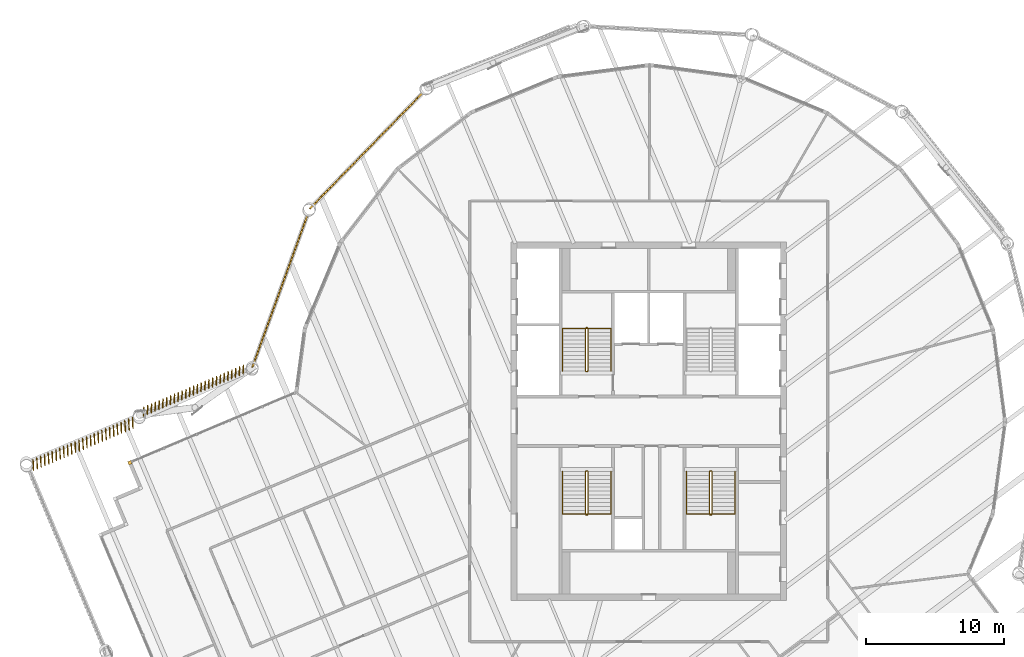
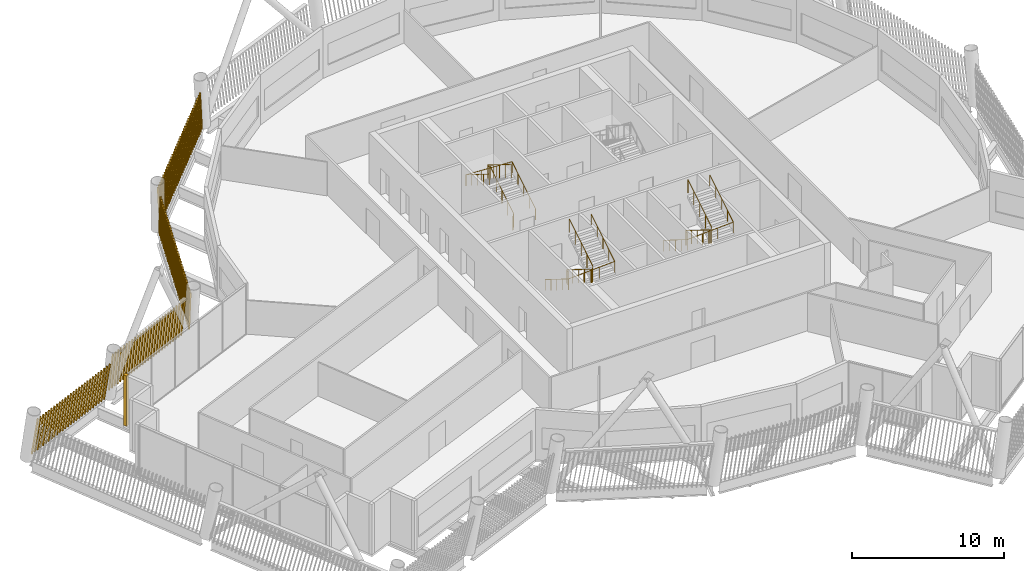
# One storey, part 32 of 35: 6 railings, 5 shading devices.
"""IFC4 building model written with IfcOpenShell, lengths in metres."""

from ifc_helpers import new_model, si_unit, direction, frame, frame_2d, origin, origin_2d, place, context, subcontext, project, spatial, rectangle, circle, composite_profile, extrude, material, type_object, element, save


model = new_model("IFC4")

# Units and contexts
model_context = context("Model", 3, precision=1e-05, world=origin(), true_north=direction((0.0, 1.0)))
body_context = subcontext(model_context, "Body", "Model", "MODEL_VIEW")
ifc_project = project(units=[si_unit("LENGTHUNIT", "METRE"), si_unit("AREAUNIT", "SQUARE_METRE"), si_unit("VOLUMEUNIT", "CUBIC_METRE"), si_unit("PLANEANGLEUNIT", "RADIAN"), si_unit("MASSUNIT", "GRAM", prefix="KILO")], contexts=[model_context])

# Site, building, storey
site_placement = place(None, origin())
site = spatial("IfcSite", under=ifc_project, at=site_placement, CompositionType="ELEMENT")
building_placement = place(site_placement, origin())
building = spatial("IfcBuilding", under=site, at=building_placement, Name="Tarsis Ring Headquarters", CompositionType="ELEMENT")
storey_placement = place(building_placement, frame((0.0, 0.0, 377.60009765625)))
storey = spatial("IfcBuildingStorey", under=building, at=storey_placement, Name="L89", CompositionType="ELEMENT", Elevation=377.60009765625)

# Railings
ifc_material_1 = material(Name="Steel S355", Category="steel")
railing_type_1 = type_object("IfcRailingType", Name="Core stair guard 1100", PredefinedType="GUARDRAIL", material=ifc_material_1)
railing_1_placement = place(storey_placement, frame((-4.5400390625, 3.610107421875, 0.0)))
element("IfcRailing", 1, at=railing_1_placement, inside=storey, type_object=railing_type_1, Name="L89 ST1 stair guard 1", PredefinedType="GUARDRAIL", context=body_context, shape_type="SweptSolid", body=[
    extrude(circle(Radius=0.02392578125, at=origin_2d()), frame((0.0, 0.0, 1.076171875), z_axis=(1.0, 0.0, 0.0), x_axis=(0.0, 1.0, 0.0)), (0.0, 0.0, 1.0), 0.080078125),
    extrude(circle(Radius=0.02392578125, at=origin_2d()), frame((0.080078125, 0.0, 1.076171875), z_axis=(0.265474339444, 0.264179342666, 0.927217692888), x_axis=(-0.705375805398, 0.708833529934, 0.0)), (0.0, 0.0, 1.0), 0.1884765625),
    extrude(circle(Radius=0.02392578125, at=origin_2d()), frame((0.130126953125, 0.0498046875, 1.2509765625), z_axis=(0.0, 0.847998304005, 0.529998940003), x_axis=(-1.0, 0.0, 0.0)), (0.0, 0.0, 1.0), 3.632080078125),
    extrude(circle(Radius=0.02392578125, at=origin_2d()), frame((0.130126953125, 3.1298828125, 3.17578125), z_axis=(-0.707106781187, 0.707106781187, 0.0), x_axis=(-0.707106781187, -0.707106781187, 0.0)), (0.0, 0.0, 1.0), 0.07080078125),
    extrude(circle(Radius=0.02392578125, at=origin_2d()), frame((0.080078125, 3.179931640625, 3.17578125), z_axis=(-1.0, 0.0, 0.0), x_axis=(0.0, -1.0, 0.0)), (0.0, 0.0, 1.0), 0.080078125),
    extrude(circle(Radius=0.02392578125, at=origin_2d()), frame((0.0, 3.179931640625, 3.17578125), z_axis=(-0.265065253269, -0.265065253269, 0.927081885822), x_axis=(0.707106781187, -0.707106781187, 0.0)), (0.0, 0.0, 1.0), 0.188720703125),
    extrude(circle(Radius=0.02392578125, at=origin_2d()), frame((-0.050048828125, 3.1298828125, 3.35107421875), z_axis=(0.0, -0.847998304005, 0.529998940003), x_axis=(1.0, 0.0, 0.0)), (0.0, 0.0, 1.0), 3.632080078125),
    extrude(circle(Radius=0.02099609375, at=origin_2d()), origin(), (0.0, 0.0, 1.0), 1.052001953125),
    extrude(circle(Radius=0.02099609375, at=origin_2d()), frame((0.080078125, 0.0, 0.0)), (0.0, 0.0, 1.0), 1.052001953125),
    extrude(circle(Radius=0.02099609375, at=origin_2d()), frame((0.130126953125, 0.0498046875, 0.1748046875)), (0.0, 0.0, 1.0), 1.052001953125),
    extrude(circle(Radius=0.02099609375, at=origin_2d()), frame((0.130126953125, 0.81982421875, 0.656005859375)), (0.0, 0.0, 1.0), 1.052001953125),
    extrude(circle(Radius=0.02099609375, at=origin_2d()), frame((0.130126953125, 1.58984375, 1.13720703125)), (0.0, 0.0, 1.0), 1.052001953125),
    extrude(circle(Radius=0.02099609375, at=origin_2d()), frame((0.130126953125, 2.35986328125, 1.61865234375)), (0.0, 0.0, 1.0), 1.052001953125),
    extrude(circle(Radius=0.02099609375, at=origin_2d()), frame((0.130126953125, 3.1298828125, 2.099853515625)), (0.0, 0.0, 1.0), 1.052001953125),
    extrude(circle(Radius=0.02099609375, at=origin_2d()), frame((0.080078125, 3.179931640625, 2.099853515625)), (0.0, 0.0, 1.0), 1.052001953125),
    extrude(circle(Radius=0.02099609375, at=origin_2d()), frame((0.0, 3.179931640625, 2.099853515625)), (0.0, 0.0, 1.0), 1.052001953125),
    extrude(circle(Radius=0.02099609375, at=origin_2d()), frame((-0.050048828125, 3.1298828125, 2.27490234375)), (0.0, 0.0, 1.0), 1.052001953125),
    extrude(circle(Radius=0.02099609375, at=origin_2d()), frame((-0.050048828125, 2.35986328125, 2.756103515625)), (0.0, 0.0, 1.0), 1.052001953125),
    extrude(circle(Radius=0.02099609375, at=origin_2d()), frame((-0.050048828125, 1.58984375, 3.2373046875)), (0.0, 0.0, 1.0), 1.052001953125),
    extrude(circle(Radius=0.02099609375, at=origin_2d()), frame((-0.050048828125, 0.81982421875, 3.71875)), (0.0, 0.0, 1.0), 1.052001953125),
    extrude(circle(Radius=0.02099609375, at=origin_2d()), frame((-0.050048828125, 0.0498046875, 4.199951171875)), (0.0, 0.0, 1.0), 1.052001953125),
])
railing_2_placement = place(storey_placement, frame((-4.4599609375, -3.610107421875, 0.0)))
element("IfcRailing", 2, at=railing_2_placement, inside=storey, type_object=railing_type_1, Name="L89 ST3 stair guard 1", PredefinedType="GUARDRAIL", context=body_context, shape_type="SweptSolid", body=[
    extrude(circle(Radius=0.02392578125, at=origin_2d()), frame((0.0, 0.0, 1.076171875), z_axis=(-1.0, 0.0, 0.0), x_axis=(0.0, -1.0, 0.0)), (0.0, 0.0, 1.0), 0.080078125),
    extrude(circle(Radius=0.02392578125, at=origin_2d()), frame((-0.080078125, 0.0, 1.076171875), z_axis=(-0.265474339444, -0.264179342666, 0.927217692888), x_axis=(0.705375805398, -0.708833529934, 0.0)), (0.0, 0.0, 1.0), 0.1884765625),
    extrude(circle(Radius=0.02392578125, at=origin_2d()), frame((-0.130126953125, -0.0498046875, 1.2509765625), z_axis=(0.0, -0.847998304005, 0.529998940003), x_axis=(1.0, 0.0, 0.0)), (0.0, 0.0, 1.0), 3.632080078125),
    extrude(circle(Radius=0.02392578125, at=origin_2d()), frame((-0.130126953125, -3.1298828125, 3.17578125), z_axis=(0.707106781187, -0.707106781187, 0.0), x_axis=(0.707106781187, 0.707106781187, 0.0)), (0.0, 0.0, 1.0), 0.07080078125),
    extrude(circle(Radius=0.02392578125, at=origin_2d()), frame((-0.080078125, -3.179931640625, 3.17578125), z_axis=(1.0, 0.0, 0.0), x_axis=(0.0, 1.0, 0.0)), (0.0, 0.0, 1.0), 0.080078125),
    extrude(circle(Radius=0.02392578125, at=origin_2d()), frame((0.0, -3.179931640625, 3.17578125), z_axis=(0.265065253269, 0.265065253269, 0.927081885822), x_axis=(-0.707106781187, 0.707106781187, 0.0)), (0.0, 0.0, 1.0), 0.188720703125),
    extrude(circle(Radius=0.02392578125, at=origin_2d()), frame((0.050048828125, -3.1298828125, 3.35107421875), z_axis=(0.0, 0.847998304005, 0.529998940003), x_axis=(-1.0, 0.0, 0.0)), (0.0, 0.0, 1.0), 3.632080078125),
    extrude(circle(Radius=0.02099609375, at=origin_2d()), origin(), (0.0, 0.0, 1.0), 1.052001953125),
    extrude(circle(Radius=0.02099609375, at=origin_2d()), frame((-0.080078125, 0.0, 0.0)), (0.0, 0.0, 1.0), 1.052001953125),
    extrude(circle(Radius=0.02099609375, at=origin_2d()), frame((-0.130126953125, -0.0498046875, 0.1748046875)), (0.0, 0.0, 1.0), 1.052001953125),
    extrude(circle(Radius=0.02099609375, at=origin_2d()), frame((-0.130126953125, -0.81982421875, 0.656005859375)), (0.0, 0.0, 1.0), 1.052001953125),
    extrude(circle(Radius=0.02099609375, at=origin_2d()), frame((-0.130126953125, -1.58984375, 1.13720703125)), (0.0, 0.0, 1.0), 1.052001953125),
    extrude(circle(Radius=0.02099609375, at=origin_2d()), frame((-0.130126953125, -2.35986328125, 1.61865234375)), (0.0, 0.0, 1.0), 1.052001953125),
    extrude(circle(Radius=0.02099609375, at=origin_2d()), frame((-0.130126953125, -3.1298828125, 2.099853515625)), (0.0, 0.0, 1.0), 1.052001953125),
    extrude(circle(Radius=0.02099609375, at=origin_2d()), frame((-0.080078125, -3.179931640625, 2.099853515625)), (0.0, 0.0, 1.0), 1.052001953125),
    extrude(circle(Radius=0.02099609375, at=origin_2d()), frame((0.0, -3.179931640625, 2.099853515625)), (0.0, 0.0, 1.0), 1.052001953125),
    extrude(circle(Radius=0.02099609375, at=origin_2d()), frame((0.050048828125, -3.1298828125, 2.27490234375)), (0.0, 0.0, 1.0), 1.052001953125),
    extrude(circle(Radius=0.02099609375, at=origin_2d()), frame((0.050048828125, -2.35986328125, 2.756103515625)), (0.0, 0.0, 1.0), 1.052001953125),
    extrude(circle(Radius=0.02099609375, at=origin_2d()), frame((0.050048828125, -1.58984375, 3.2373046875)), (0.0, 0.0, 1.0), 1.052001953125),
    extrude(circle(Radius=0.02099609375, at=origin_2d()), frame((0.050048828125, -0.81982421875, 3.71875)), (0.0, 0.0, 1.0), 1.052001953125),
    extrude(circle(Radius=0.02099609375, at=origin_2d()), frame((0.050048828125, -0.0498046875, 4.199951171875)), (0.0, 0.0, 1.0), 1.052001953125),
])
railing_3_placement = place(storey_placement, frame((4.5400390625, -3.610107421875, 0.0)))
element("IfcRailing", 3, at=railing_3_placement, inside=storey, type_object=railing_type_1, Name="L89 ST4 stair guard 1", PredefinedType="GUARDRAIL", context=body_context, shape_type="SweptSolid", body=[
    extrude(circle(Radius=0.02392578125, at=origin_2d()), frame((0.0, 0.0, 1.076171875), z_axis=(-1.0, 0.0, 0.0), x_axis=(0.0, -1.0, 0.0)), (0.0, 0.0, 1.0), 0.080078125),
    extrude(circle(Radius=0.02392578125, at=origin_2d()), frame((-0.080078125, 0.0, 1.076171875), z_axis=(-0.265474339444, -0.264179342666, 0.927217692888), x_axis=(0.705375805398, -0.708833529934, 0.0)), (0.0, 0.0, 1.0), 0.1884765625),
    extrude(circle(Radius=0.02392578125, at=origin_2d()), frame((-0.130126953125, -0.0498046875, 1.2509765625), z_axis=(0.0, -0.847998304005, 0.529998940003), x_axis=(1.0, 0.0, 0.0)), (0.0, 0.0, 1.0), 3.632080078125),
    extrude(circle(Radius=0.02392578125, at=origin_2d()), frame((-0.130126953125, -3.1298828125, 3.17578125), z_axis=(0.707106781187, -0.707106781187, 0.0), x_axis=(0.707106781187, 0.707106781187, 0.0)), (0.0, 0.0, 1.0), 0.07080078125),
    extrude(circle(Radius=0.02392578125, at=origin_2d()), frame((-0.080078125, -3.179931640625, 3.17578125), z_axis=(1.0, 0.0, 0.0), x_axis=(0.0, 1.0, 0.0)), (0.0, 0.0, 1.0), 0.080078125),
    extrude(circle(Radius=0.02392578125, at=origin_2d()), frame((0.0, -3.179931640625, 3.17578125), z_axis=(0.265065253269, 0.265065253269, 0.927081885822), x_axis=(-0.707106781187, 0.707106781187, 0.0)), (0.0, 0.0, 1.0), 0.188720703125),
    extrude(circle(Radius=0.02392578125, at=origin_2d()), frame((0.050048828125, -3.1298828125, 3.35107421875), z_axis=(0.0, 0.847998304005, 0.529998940003), x_axis=(-1.0, 0.0, 0.0)), (0.0, 0.0, 1.0), 3.632080078125),
    extrude(circle(Radius=0.02099609375, at=origin_2d()), origin(), (0.0, 0.0, 1.0), 1.052001953125),
    extrude(circle(Radius=0.02099609375, at=origin_2d()), frame((-0.080078125, 0.0, 0.0)), (0.0, 0.0, 1.0), 1.052001953125),
    extrude(circle(Radius=0.02099609375, at=origin_2d()), frame((-0.130126953125, -0.0498046875, 0.1748046875)), (0.0, 0.0, 1.0), 1.052001953125),
    extrude(circle(Radius=0.02099609375, at=origin_2d()), frame((-0.130126953125, -0.81982421875, 0.656005859375)), (0.0, 0.0, 1.0), 1.052001953125),
    extrude(circle(Radius=0.02099609375, at=origin_2d()), frame((-0.130126953125, -1.58984375, 1.13720703125)), (0.0, 0.0, 1.0), 1.052001953125),
    extrude(circle(Radius=0.02099609375, at=origin_2d()), frame((-0.130126953125, -2.35986328125, 1.61865234375)), (0.0, 0.0, 1.0), 1.052001953125),
    extrude(circle(Radius=0.02099609375, at=origin_2d()), frame((-0.130126953125, -3.1298828125, 2.099853515625)), (0.0, 0.0, 1.0), 1.052001953125),
    extrude(circle(Radius=0.02099609375, at=origin_2d()), frame((-0.080078125, -3.179931640625, 2.099853515625)), (0.0, 0.0, 1.0), 1.052001953125),
    extrude(circle(Radius=0.02099609375, at=origin_2d()), frame((0.0, -3.179931640625, 2.099853515625)), (0.0, 0.0, 1.0), 1.052001953125),
    extrude(circle(Radius=0.02099609375, at=origin_2d()), frame((0.050048828125, -3.1298828125, 2.27490234375)), (0.0, 0.0, 1.0), 1.052001953125),
    extrude(circle(Radius=0.02099609375, at=origin_2d()), frame((0.050048828125, -2.35986328125, 2.756103515625)), (0.0, 0.0, 1.0), 1.052001953125),
    extrude(circle(Radius=0.02099609375, at=origin_2d()), frame((0.050048828125, -1.58984375, 3.2373046875)), (0.0, 0.0, 1.0), 1.052001953125),
    extrude(circle(Radius=0.02099609375, at=origin_2d()), frame((0.050048828125, -0.81982421875, 3.71875)), (0.0, 0.0, 1.0), 1.052001953125),
    extrude(circle(Radius=0.02099609375, at=origin_2d()), frame((0.050048828125, -0.0498046875, 4.199951171875)), (0.0, 0.0, 1.0), 1.052001953125),
])
railing_type_2 = type_object("IfcRailingType", Name="Core stair handrail 900", PredefinedType="HANDRAIL", material=ifc_material_1)
railing_4_placement = place(storey_placement, frame((-2.75, 3.659912109375, 0.1748046875)))
element("IfcRailing", 4, at=railing_4_placement, inside=storey, type_object=railing_type_2, Name="L89 ST1 stair handrail 1", PredefinedType="HANDRAIL", context=body_context, shape_type="SweptSolid", body=[
    extrude(circle(Radius=0.02392578125, at=origin_2d()), frame((0.0, 0.0, 0.8759765625), z_axis=(0.0, 0.847998304005, 0.529998940003), x_axis=(-1.0, 0.0, 0.0)), (0.0, 0.0, 1.0), 3.632080078125),
    extrude(circle(Radius=0.02392578125, at=origin_2d()), frame((0.0, 3.080078125, 2.80078125), z_axis=(-0.998751643845, 0.0, 0.049951515669), x_axis=(0.0, -1.0, 0.0)), (0.0, 0.0, 1.0), 3.50439453125),
    extrude(circle(Radius=0.02392578125, at=origin_2d()), frame((-3.5, 3.080078125, 2.97607421875), z_axis=(0.0, -0.847998304005, 0.529998940003), x_axis=(1.0, 0.0, 0.0)), (0.0, 0.0, 1.0), 3.632080078125),
    extrude(circle(Radius=0.02099609375, at=origin_2d()), origin(), (0.0, 0.0, 1.0), 0.851806640625),
    extrude(circle(Radius=0.02099609375, at=origin_2d()), frame((0.0, 0.77001953125, 0.481201171875)), (0.0, 0.0, 1.0), 0.851806640625),
    extrude(circle(Radius=0.02099609375, at=origin_2d()), frame((0.0, 1.5400390625, 0.96240234375)), (0.0, 0.0, 1.0), 0.851806640625),
    extrude(circle(Radius=0.02099609375, at=origin_2d()), frame((0.0, 2.31005859375, 1.44384765625)), (0.0, 0.0, 1.0), 0.851806640625),
    extrude(circle(Radius=0.02099609375, at=origin_2d()), frame((0.0, 3.080078125, 1.925048828125)), (0.0, 0.0, 1.0), 0.851806640625),
    extrude(circle(Radius=0.02099609375, at=origin_2d()), frame((-1.166748046875, 3.080078125, 1.9833984375)), (0.0, 0.0, 1.0), 0.851806640625),
    extrude(circle(Radius=0.02099609375, at=origin_2d()), frame((-2.333251953125, 3.080078125, 2.041748046875)), (0.0, 0.0, 1.0), 0.851806640625),
    extrude(circle(Radius=0.02099609375, at=origin_2d()), frame((-3.5, 3.080078125, 2.10009765625)), (0.0, 0.0, 1.0), 0.851806640625),
    extrude(circle(Radius=0.02099609375, at=origin_2d()), frame((-3.5, 2.31005859375, 2.581298828125)), (0.0, 0.0, 1.0), 0.851806640625),
    extrude(circle(Radius=0.02099609375, at=origin_2d()), frame((-3.5, 1.5400390625, 3.0625)), (0.0, 0.0, 1.0), 0.851806640625),
    extrude(circle(Radius=0.02099609375, at=origin_2d()), frame((-3.5, 0.77001953125, 3.5439453125)), (0.0, 0.0, 1.0), 0.851806640625),
    extrude(circle(Radius=0.02099609375, at=origin_2d()), frame((-3.5, 0.0, 4.025146484375)), (0.0, 0.0, 1.0), 0.851806640625),
])
railing_5_placement = place(storey_placement, frame((-6.25, -3.659912109375, 0.1748046875)))
element("IfcRailing", 5, at=railing_5_placement, inside=storey, type_object=railing_type_2, Name="L89 ST3 stair handrail 1", PredefinedType="HANDRAIL", context=body_context, shape_type="SweptSolid", body=[
    extrude(circle(Radius=0.02392578125, at=origin_2d()), frame((0.0, 0.0, 0.8759765625), z_axis=(0.0, -0.847998304005, 0.529998940003), x_axis=(1.0, 0.0, 0.0)), (0.0, 0.0, 1.0), 3.632080078125),
    extrude(circle(Radius=0.02392578125, at=origin_2d()), frame((0.0, -3.080078125, 2.80078125), z_axis=(0.998751643845, 0.0, 0.049951515669), x_axis=(0.0, 1.0, 0.0)), (0.0, 0.0, 1.0), 3.50439453125),
    extrude(circle(Radius=0.02392578125, at=origin_2d()), frame((3.5, -3.080078125, 2.97607421875), z_axis=(0.0, 0.847998304005, 0.529998940003), x_axis=(-1.0, 0.0, 0.0)), (0.0, 0.0, 1.0), 3.632080078125),
    extrude(circle(Radius=0.02099609375, at=origin_2d()), origin(), (0.0, 0.0, 1.0), 0.851806640625),
    extrude(circle(Radius=0.02099609375, at=origin_2d()), frame((0.0, -0.77001953125, 0.481201171875)), (0.0, 0.0, 1.0), 0.851806640625),
    extrude(circle(Radius=0.02099609375, at=origin_2d()), frame((0.0, -1.5400390625, 0.96240234375)), (0.0, 0.0, 1.0), 0.851806640625),
    extrude(circle(Radius=0.02099609375, at=origin_2d()), frame((0.0, -2.31005859375, 1.44384765625)), (0.0, 0.0, 1.0), 0.851806640625),
    extrude(circle(Radius=0.02099609375, at=origin_2d()), frame((0.0, -3.080078125, 1.925048828125)), (0.0, 0.0, 1.0), 0.851806640625),
    extrude(circle(Radius=0.02099609375, at=origin_2d()), frame((1.166748046875, -3.080078125, 1.9833984375)), (0.0, 0.0, 1.0), 0.851806640625),
    extrude(circle(Radius=0.02099609375, at=origin_2d()), frame((2.333251953125, -3.080078125, 2.041748046875)), (0.0, 0.0, 1.0), 0.851806640625),
    extrude(circle(Radius=0.02099609375, at=origin_2d()), frame((3.5, -3.080078125, 2.10009765625)), (0.0, 0.0, 1.0), 0.851806640625),
    extrude(circle(Radius=0.02099609375, at=origin_2d()), frame((3.5, -2.31005859375, 2.581298828125)), (0.0, 0.0, 1.0), 0.851806640625),
    extrude(circle(Radius=0.02099609375, at=origin_2d()), frame((3.5, -1.5400390625, 3.0625)), (0.0, 0.0, 1.0), 0.851806640625),
    extrude(circle(Radius=0.02099609375, at=origin_2d()), frame((3.5, -0.77001953125, 3.5439453125)), (0.0, 0.0, 1.0), 0.851806640625),
    extrude(circle(Radius=0.02099609375, at=origin_2d()), frame((3.5, 0.0, 4.025146484375)), (0.0, 0.0, 1.0), 0.851806640625),
])
railing_6_placement = place(storey_placement, frame((2.75, -3.659912109375, 0.1748046875)))
element("IfcRailing", 6, at=railing_6_placement, inside=storey, type_object=railing_type_2, Name="L89 ST4 stair handrail 1", PredefinedType="HANDRAIL", context=body_context, shape_type="SweptSolid", body=[
    extrude(circle(Radius=0.02392578125, at=origin_2d()), frame((0.0, 0.0, 0.8759765625), z_axis=(0.0, -0.847998304005, 0.529998940003), x_axis=(1.0, 0.0, 0.0)), (0.0, 0.0, 1.0), 3.632080078125),
    extrude(circle(Radius=0.02392578125, at=origin_2d()), frame((0.0, -3.080078125, 2.80078125), z_axis=(0.998751643845, 0.0, 0.049951515669), x_axis=(0.0, 1.0, 0.0)), (0.0, 0.0, 1.0), 3.50439453125),
    extrude(circle(Radius=0.02392578125, at=origin_2d()), frame((3.5, -3.080078125, 2.97607421875), z_axis=(0.0, 0.847998304005, 0.529998940003), x_axis=(-1.0, 0.0, 0.0)), (0.0, 0.0, 1.0), 3.632080078125),
    extrude(circle(Radius=0.02099609375, at=origin_2d()), origin(), (0.0, 0.0, 1.0), 0.851806640625),
    extrude(circle(Radius=0.02099609375, at=origin_2d()), frame((0.0, -0.77001953125, 0.481201171875)), (0.0, 0.0, 1.0), 0.851806640625),
    extrude(circle(Radius=0.02099609375, at=origin_2d()), frame((0.0, -1.5400390625, 0.96240234375)), (0.0, 0.0, 1.0), 0.851806640625),
    extrude(circle(Radius=0.02099609375, at=origin_2d()), frame((0.0, -2.31005859375, 1.44384765625)), (0.0, 0.0, 1.0), 0.851806640625),
    extrude(circle(Radius=0.02099609375, at=origin_2d()), frame((0.0, -3.080078125, 1.925048828125)), (0.0, 0.0, 1.0), 0.851806640625),
    extrude(circle(Radius=0.02099609375, at=origin_2d()), frame((1.166748046875, -3.080078125, 1.9833984375)), (0.0, 0.0, 1.0), 0.851806640625),
    extrude(circle(Radius=0.02099609375, at=origin_2d()), frame((2.333251953125, -3.080078125, 2.041748046875)), (0.0, 0.0, 1.0), 0.851806640625),
    extrude(circle(Radius=0.02099609375, at=origin_2d()), frame((3.5, -3.080078125, 2.10009765625)), (0.0, 0.0, 1.0), 0.851806640625),
    extrude(circle(Radius=0.02099609375, at=origin_2d()), frame((3.5, -2.31005859375, 2.581298828125)), (0.0, 0.0, 1.0), 0.851806640625),
    extrude(circle(Radius=0.02099609375, at=origin_2d()), frame((3.5, -1.5400390625, 3.0625)), (0.0, 0.0, 1.0), 0.851806640625),
    extrude(circle(Radius=0.02099609375, at=origin_2d()), frame((3.5, -0.77001953125, 3.5439453125)), (0.0, 0.0, 1.0), 0.851806640625),
    extrude(circle(Radius=0.02099609375, at=origin_2d()), frame((3.5, 0.0, 4.025146484375)), (0.0, 0.0, 1.0), 0.851806640625),
])

# Shading devices
ifc_material_2 = material(Name="Terracotta baguette", Category="masonry")
shading_device_type_1 = type_object("IfcShadingDeviceType", Name="Terracotta baguette screen", PredefinedType="USERDEFINED", material=ifc_material_2)
shading_device_1_placement = place(storey_placement, frame((-16.409423828125, 23.846923828125, 0.0), z_axis=(0.0, 0.0, 1.0), x_axis=(-0.697970699946, -0.716136733587, 0.0)))
element("IfcShadingDevice", 7, at=shading_device_1_placement, inside=storey, type_object=shading_device_type_1, Name="Baguette screen L89-11", ObjectType="Terracotta baguette screen", PredefinedType="USERDEFINED", context=body_context, shape_type="SweptSolid", body=[
    extrude(composite_profile([rectangle(XDim=0.06005859375, YDim=0.1201171875, at=frame_2d((0.030029296875, 0.0))), rectangle(XDim=0.06005859375, YDim=0.1201171875, at=frame_2d((0.33251953125, 0.0))), rectangle(XDim=0.06005859375, YDim=0.1201171875, at=frame_2d((0.634765625, 0.0))), rectangle(XDim=0.06005859375, YDim=0.1201171875, at=frame_2d((0.937255859375, 0.0))), rectangle(XDim=0.06005859375, YDim=0.1201171875, at=frame_2d((1.239501953125, 0.0))), rectangle(XDim=0.06005859375, YDim=0.1201171875, at=frame_2d((1.5419921875, 0.0))), rectangle(XDim=0.06005859375, YDim=0.1201171875, at=frame_2d((1.844482421875, 0.0))), rectangle(XDim=0.06005859375, YDim=0.1201171875, at=frame_2d((2.146728515625, 0.0))), rectangle(XDim=0.06005859375, YDim=0.1201171875, at=frame_2d((2.44921875, 0.0))), rectangle(XDim=0.06005859375, YDim=0.1201171875, at=frame_2d((2.751708984375, 0.0))), rectangle(XDim=0.06005859375, YDim=0.1201171875, at=frame_2d((3.053955078125, 0.0))), rectangle(XDim=0.06005859375, YDim=0.1201171875, at=frame_2d((3.3564453125, 0.0))), rectangle(XDim=0.06005859375, YDim=0.1201171875, at=frame_2d((3.65869140625, 0.0))), rectangle(XDim=0.06005859375, YDim=0.1201171875, at=frame_2d((3.961181640625, 0.0))), rectangle(XDim=0.06005859375, YDim=0.1201171875, at=frame_2d((4.263671875, 0.0))), rectangle(XDim=0.06005859375, YDim=0.1201171875, at=frame_2d((4.56591796875, 0.0))), rectangle(XDim=0.06005859375, YDim=0.1201171875, at=frame_2d((4.868408203125, 0.0))), rectangle(XDim=0.06005859375, YDim=0.1201171875, at=frame_2d((5.1708984375, 0.0))), rectangle(XDim=0.06005859375, YDim=0.1201171875, at=frame_2d((5.47314453125, 0.0))), rectangle(XDim=0.06005859375, YDim=0.1201171875, at=frame_2d((5.775634765625, 0.0))), rectangle(XDim=0.06005859375, YDim=0.1201171875, at=frame_2d((6.077880859375, 0.0))), rectangle(XDim=0.06005859375, YDim=0.1201171875, at=frame_2d((6.38037109375, 0.0))), rectangle(XDim=0.06005859375, YDim=0.1201171875, at=frame_2d((6.682861328125, 0.0))), rectangle(XDim=0.06005859375, YDim=0.1201171875, at=frame_2d((6.985107421875, 0.0))), rectangle(XDim=0.06005859375, YDim=0.1201171875, at=frame_2d((7.28759765625, 0.0))), rectangle(XDim=0.06005859375, YDim=0.1201171875, at=frame_2d((7.590087890625, 0.0))), rectangle(XDim=0.06005859375, YDim=0.1201171875, at=frame_2d((7.892333984375, 0.0))), rectangle(XDim=0.06005859375, YDim=0.1201171875, at=frame_2d((8.19482421875, 0.0))), rectangle(XDim=0.06005859375, YDim=0.1201171875, at=frame_2d((8.4970703125, 0.0))), rectangle(XDim=0.06005859375, YDim=0.1201171875, at=frame_2d((8.799560546875, 0.0))), rectangle(XDim=0.06005859375, YDim=0.1201171875, at=frame_2d((9.10205078125, 0.0))), rectangle(XDim=0.06005859375, YDim=0.1201171875, at=frame_2d((9.404296875, 0.0))), rectangle(XDim=0.06005859375, YDim=0.1201171875, at=frame_2d((9.706787109375, 0.0))), rectangle(XDim=0.06005859375, YDim=0.1201171875, at=frame_2d((10.00927734375, 0.0))), rectangle(XDim=0.06005859375, YDim=0.1201171875, at=frame_2d((10.3115234375, 0.0))), rectangle(XDim=0.06005859375, YDim=0.1201171875, at=frame_2d((10.614013671875, 0.0))), rectangle(XDim=0.06005859375, YDim=0.1201171875, at=frame_2d((10.916259765625, 0.0))), rectangle(XDim=0.06005859375, YDim=0.1201171875, at=frame_2d((11.21875, 0.0)))]), origin(), (0.155204323485, 0.001409210755, 0.987881385641), 3.32080078125),
])
shading_device_2_placement = place(storey_placement, frame((-24.780029296875, 14.963134765625, 0.0), z_axis=(0.0, 0.0, 1.0), x_axis=(-0.340719680528, -0.940164076743, 0.0)))
element("IfcShadingDevice", 8, at=shading_device_2_placement, inside=storey, type_object=shading_device_type_1, Name="Baguette screen L89-12", ObjectType="Terracotta baguette screen", PredefinedType="USERDEFINED", context=body_context, shape_type="SweptSolid", body=[
    extrude(composite_profile([rectangle(XDim=0.06005859375, YDim=0.1201171875, at=frame_2d((0.030029296875, 0.0))), rectangle(XDim=0.06005859375, YDim=0.1201171875, at=frame_2d((0.33251953125, 0.0))), rectangle(XDim=0.06005859375, YDim=0.1201171875, at=frame_2d((0.634765625, 0.0))), rectangle(XDim=0.06005859375, YDim=0.1201171875, at=frame_2d((0.937255859375, 0.0))), rectangle(XDim=0.06005859375, YDim=0.1201171875, at=frame_2d((1.239501953125, 0.0))), rectangle(XDim=0.06005859375, YDim=0.1201171875, at=frame_2d((1.5419921875, 0.0))), rectangle(XDim=0.06005859375, YDim=0.1201171875, at=frame_2d((1.844482421875, 0.0))), rectangle(XDim=0.06005859375, YDim=0.1201171875, at=frame_2d((2.146728515625, 0.0))), rectangle(XDim=0.06005859375, YDim=0.1201171875, at=frame_2d((2.44921875, 0.0))), rectangle(XDim=0.06005859375, YDim=0.1201171875, at=frame_2d((2.751708984375, 0.0))), rectangle(XDim=0.06005859375, YDim=0.1201171875, at=frame_2d((3.053955078125, 0.0))), rectangle(XDim=0.06005859375, YDim=0.1201171875, at=frame_2d((3.3564453125, 0.0))), rectangle(XDim=0.06005859375, YDim=0.1201171875, at=frame_2d((3.65869140625, 0.0))), rectangle(XDim=0.06005859375, YDim=0.1201171875, at=frame_2d((3.961181640625, 0.0))), rectangle(XDim=0.06005859375, YDim=0.1201171875, at=frame_2d((4.263671875, 0.0))), rectangle(XDim=0.06005859375, YDim=0.1201171875, at=frame_2d((4.56591796875, 0.0))), rectangle(XDim=0.06005859375, YDim=0.1201171875, at=frame_2d((4.868408203125, 0.0))), rectangle(XDim=0.06005859375, YDim=0.1201171875, at=frame_2d((5.1708984375, 0.0))), rectangle(XDim=0.06005859375, YDim=0.1201171875, at=frame_2d((5.47314453125, 0.0))), rectangle(XDim=0.06005859375, YDim=0.1201171875, at=frame_2d((5.775634765625, 0.0))), rectangle(XDim=0.06005859375, YDim=0.1201171875, at=frame_2d((6.077880859375, 0.0))), rectangle(XDim=0.06005859375, YDim=0.1201171875, at=frame_2d((6.38037109375, 0.0))), rectangle(XDim=0.06005859375, YDim=0.1201171875, at=frame_2d((6.682861328125, 0.0))), rectangle(XDim=0.06005859375, YDim=0.1201171875, at=frame_2d((6.985107421875, 0.0))), rectangle(XDim=0.06005859375, YDim=0.1201171875, at=frame_2d((7.28759765625, 0.0))), rectangle(XDim=0.06005859375, YDim=0.1201171875, at=frame_2d((7.590087890625, 0.0))), rectangle(XDim=0.06005859375, YDim=0.1201171875, at=frame_2d((7.892333984375, 0.0))), rectangle(XDim=0.06005859375, YDim=0.1201171875, at=frame_2d((8.19482421875, 0.0))), rectangle(XDim=0.06005859375, YDim=0.1201171875, at=frame_2d((8.4970703125, 0.0))), rectangle(XDim=0.06005859375, YDim=0.1201171875, at=frame_2d((8.799560546875, 0.0))), rectangle(XDim=0.06005859375, YDim=0.1201171875, at=frame_2d((9.10205078125, 0.0))), rectangle(XDim=0.06005859375, YDim=0.1201171875, at=frame_2d((9.404296875, 0.0))), rectangle(XDim=0.06005859375, YDim=0.1201171875, at=frame_2d((9.706787109375, 0.0))), rectangle(XDim=0.06005859375, YDim=0.1201171875, at=frame_2d((10.00927734375, 0.0))), rectangle(XDim=0.06005859375, YDim=0.1201171875, at=frame_2d((10.3115234375, 0.0))), rectangle(XDim=0.06005859375, YDim=0.1201171875, at=frame_2d((10.614013671875, 0.0))), rectangle(XDim=0.06005859375, YDim=0.1201171875, at=frame_2d((10.916259765625, 0.0))), rectangle(XDim=0.06005859375, YDim=0.1201171875, at=frame_2d((11.21875, 0.0)))]), origin(), (0.155202743056, 0.001407129, 0.987881636906), 3.32080078125),
])
shading_device_3_placement = place(storey_placement, frame((-29.3896484375, 4.068359375, 0.0), z_axis=(0.0, 0.0, 1.0), x_axis=(-0.921311171527, -0.388809935739, 0.0)))
element("IfcShadingDevice", 9, at=shading_device_3_placement, inside=storey, type_object=shading_device_type_1, Name="Baguette screen L89-13", ObjectType="Terracotta baguette screen", PredefinedType="USERDEFINED", context=body_context, shape_type="SweptSolid", body=[
    extrude(composite_profile([rectangle(XDim=0.06005859375, YDim=0.1201171875, at=frame_2d((0.030029296875, 0.0))), rectangle(XDim=0.06005859375, YDim=0.1201171875, at=frame_2d((0.33154296875, 0.0))), rectangle(XDim=0.06005859375, YDim=0.1201171875, at=frame_2d((0.63330078125, 0.0))), rectangle(XDim=0.06005859375, YDim=0.1201171875, at=frame_2d((0.934814453125, 0.0))), rectangle(XDim=0.06005859375, YDim=0.1201171875, at=frame_2d((1.236572265625, 0.0))), rectangle(XDim=0.06005859375, YDim=0.1201171875, at=frame_2d((1.5380859375, 0.0))), rectangle(XDim=0.06005859375, YDim=0.1201171875, at=frame_2d((1.83984375, 0.0))), rectangle(XDim=0.06005859375, YDim=0.1201171875, at=frame_2d((2.141357421875, 0.0))), rectangle(XDim=0.06005859375, YDim=0.1201171875, at=frame_2d((2.443115234375, 0.0))), rectangle(XDim=0.06005859375, YDim=0.1201171875, at=frame_2d((2.74462890625, 0.0))), rectangle(XDim=0.06005859375, YDim=0.1201171875, at=frame_2d((3.04638671875, 0.0))), rectangle(XDim=0.06005859375, YDim=0.1201171875, at=frame_2d((3.347900390625, 0.0))), rectangle(XDim=0.06005859375, YDim=0.1201171875, at=frame_2d((3.649658203125, 0.0))), rectangle(XDim=0.06005859375, YDim=0.1201171875, at=frame_2d((3.951171875, 0.0))), rectangle(XDim=0.06005859375, YDim=0.1201171875, at=frame_2d((4.252685546875, 0.0))), rectangle(XDim=0.06005859375, YDim=0.1201171875, at=frame_2d((4.554443359375, 0.0))), rectangle(XDim=0.06005859375, YDim=0.1201171875, at=frame_2d((4.85595703125, 0.0))), rectangle(XDim=0.06005859375, YDim=0.1201171875, at=frame_2d((5.15771484375, 0.0))), rectangle(XDim=0.06005859375, YDim=0.1201171875, at=frame_2d((5.459228515625, 0.0))), rectangle(XDim=0.06005859375, YDim=0.1201171875, at=frame_2d((5.760986328125, 0.0))), rectangle(XDim=0.06005859375, YDim=0.1201171875, at=frame_2d((6.0625, 0.0))), rectangle(XDim=0.06005859375, YDim=0.1201171875, at=frame_2d((6.3642578125, 0.0))), rectangle(XDim=0.06005859375, YDim=0.1201171875, at=frame_2d((6.665771484375, 0.0))), rectangle(XDim=0.06005859375, YDim=0.1201171875, at=frame_2d((6.967529296875, 0.0))), rectangle(XDim=0.06005859375, YDim=0.1201171875, at=frame_2d((7.26904296875, 0.0))), rectangle(XDim=0.06005859375, YDim=0.1201171875, at=frame_2d((7.57080078125, 0.0))), rectangle(XDim=0.06005859375, YDim=0.1201171875, at=frame_2d((7.872314453125, 0.0)))]), origin(), (0.081131189496, 0.161000279347, 0.983614070732), 3.335205078125),
])
shading_device_4_placement = place(storey_placement, frame((-37.445556640625, 0.26171875, 0.0), z_axis=(0.0, 0.0, 1.0), x_axis=(-0.921311171527, -0.388809935739, 0.0)))
element("IfcShadingDevice", 10, at=shading_device_4_placement, inside=storey, type_object=shading_device_type_1, Name="Baguette screen L89-14", ObjectType="Terracotta baguette screen", PredefinedType="USERDEFINED", context=body_context, shape_type="SweptSolid", body=[
    extrude(composite_profile([rectangle(XDim=0.06005859375, YDim=0.1201171875, at=frame_2d((0.030029296875, 0.0))), rectangle(XDim=0.06005859375, YDim=0.1201171875, at=frame_2d((0.33154296875, 0.0))), rectangle(XDim=0.06005859375, YDim=0.1201171875, at=frame_2d((0.63330078125, 0.0))), rectangle(XDim=0.06005859375, YDim=0.1201171875, at=frame_2d((0.934814453125, 0.0))), rectangle(XDim=0.06005859375, YDim=0.1201171875, at=frame_2d((1.236572265625, 0.0))), rectangle(XDim=0.06005859375, YDim=0.1201171875, at=frame_2d((1.5380859375, 0.0))), rectangle(XDim=0.06005859375, YDim=0.1201171875, at=frame_2d((1.83984375, 0.0))), rectangle(XDim=0.06005859375, YDim=0.1201171875, at=frame_2d((2.141357421875, 0.0))), rectangle(XDim=0.06005859375, YDim=0.1201171875, at=frame_2d((2.443115234375, 0.0))), rectangle(XDim=0.06005859375, YDim=0.1201171875, at=frame_2d((2.74462890625, 0.0))), rectangle(XDim=0.06005859375, YDim=0.1201171875, at=frame_2d((3.04638671875, 0.0))), rectangle(XDim=0.06005859375, YDim=0.1201171875, at=frame_2d((3.347900390625, 0.0))), rectangle(XDim=0.06005859375, YDim=0.1201171875, at=frame_2d((3.649658203125, 0.0))), rectangle(XDim=0.06005859375, YDim=0.1201171875, at=frame_2d((3.951171875, 0.0))), rectangle(XDim=0.06005859375, YDim=0.1201171875, at=frame_2d((4.252685546875, 0.0))), rectangle(XDim=0.06005859375, YDim=0.1201171875, at=frame_2d((4.554443359375, 0.0))), rectangle(XDim=0.06005859375, YDim=0.1201171875, at=frame_2d((4.85595703125, 0.0))), rectangle(XDim=0.06005859375, YDim=0.1201171875, at=frame_2d((5.15771484375, 0.0))), rectangle(XDim=0.06005859375, YDim=0.1201171875, at=frame_2d((5.459228515625, 0.0))), rectangle(XDim=0.06005859375, YDim=0.1201171875, at=frame_2d((5.760986328125, 0.0))), rectangle(XDim=0.06005859375, YDim=0.1201171875, at=frame_2d((6.0625, 0.0))), rectangle(XDim=0.06005859375, YDim=0.1201171875, at=frame_2d((6.3642578125, 0.0))), rectangle(XDim=0.06005859375, YDim=0.1201171875, at=frame_2d((6.665771484375, 0.0))), rectangle(XDim=0.06005859375, YDim=0.1201171875, at=frame_2d((6.967529296875, 0.0))), rectangle(XDim=0.06005859375, YDim=0.1201171875, at=frame_2d((7.26904296875, 0.0))), rectangle(XDim=0.06005859375, YDim=0.1201171875, at=frame_2d((7.57080078125, 0.0))), rectangle(XDim=0.06005859375, YDim=0.1201171875, at=frame_2d((7.872314453125, 0.0)))]), origin(), (0.077970391878, 0.207615388504, 0.975098184003), 3.3642578125),
])
shading_device_type_2 = type_object("IfcShadingDeviceType", Name="Terracotta corner baguette 250x250", PredefinedType="USERDEFINED", material=ifc_material_2)
shading_device_5_placement = place(storey_placement, frame((-37.66943359375, -3.007568359375, 0.0), z_axis=(0.0, 0.0, 1.0), x_axis=(-0.921321165752, -0.388802404233, 0.0)))
element("IfcShadingDevice", 11, at=shading_device_5_placement, inside=storey, type_object=shading_device_type_2, Name="Corner baguette L89-32", ObjectType="Terracotta corner baguette", PredefinedType="USERDEFINED", context=body_context, shape_type="SweptSolid", body=[
    extrude(rectangle(XDim=0.25, YDim=0.25, at=origin_2d()), origin(), (0.0, 0.0, 1.0), 4.0400390625),
])

save(model, "model.ifc")
